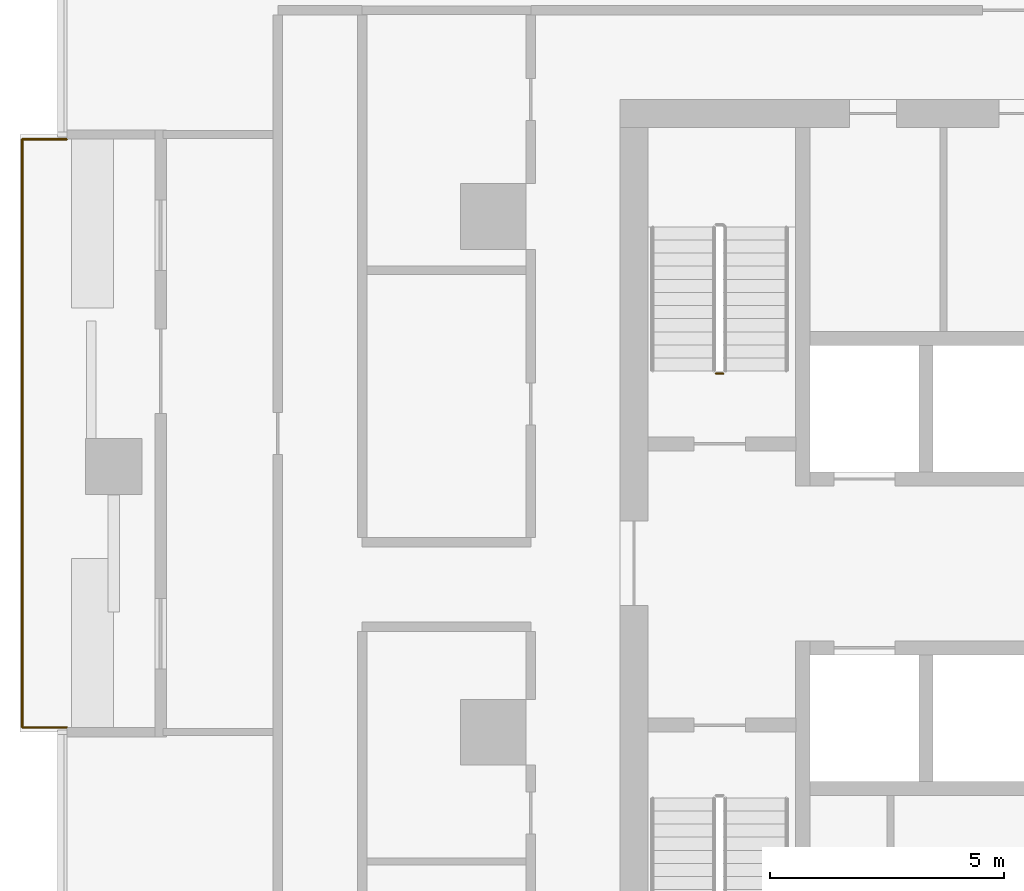
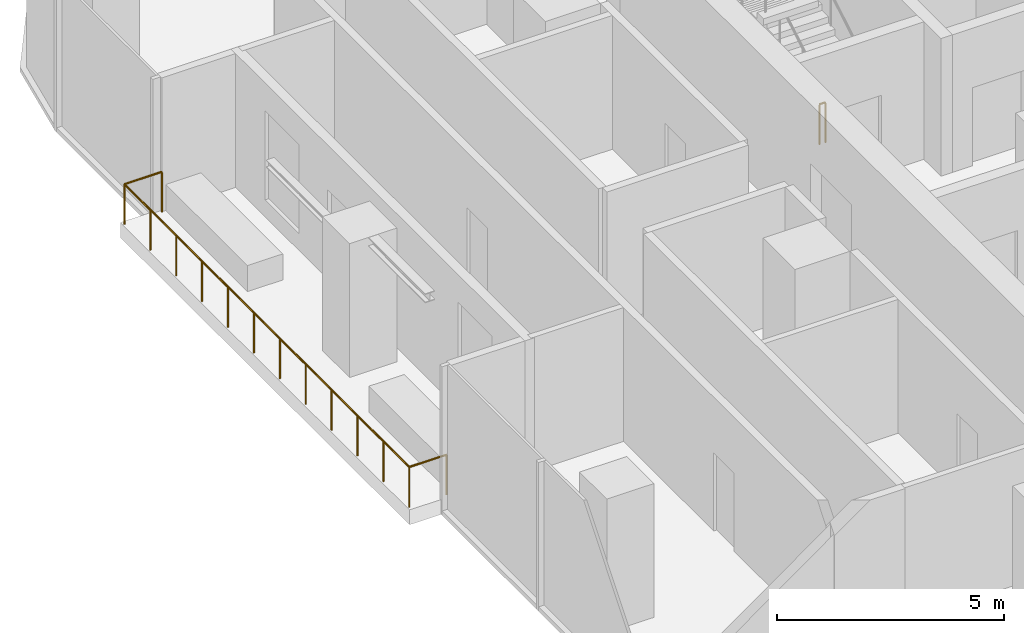
# One storey, part 12 of 14: 2 railings.
"""IFC4 building model written with IfcOpenShell, lengths in metres."""

import ifcopenshell
import ifcopenshell.guid

model = None  # the IFC model being written
_history = None  # IfcOwnerHistory: only IFC2X3 demands one
_inside = {}  # id of a spatial element -> (the spatial element, [elements in it])
_under = {}  # id of a project, library or spatial element -> (it, [spatial elements below it])
_declared = {}  # id of a project -> (the project, [libraries it declares])
_typed = {}  # id of a type object -> (the type object, [elements of that type])
_made_of = {}  # id of a material, layer set ... -> (it, [elements and type objects made of it])


def new_model(schema):
    """Start an empty IFC model of exactly this schema.

    Asked for "IFC4X3", IfcOpenShell would pick the latest addendum, in which some entities
    have other attributes; the version numbers below select the first issue.
    IFC2X3 requires an IfcOwnerHistory on every rooted entity: one is made here for all.
    """
    global model, _history
    if schema == "IFC4X3":
        model = ifcopenshell.file(schema_version=(4, 3, 0, 0))
    else:
        model = ifcopenshell.file(schema=schema)
    _inside.clear()
    _under.clear()
    _declared.clear()
    _typed.clear()
    _made_of.clear()
    _history = None
    if model.schema == "IFC2X3":
        org = make("IfcOrganization", Name="unknown")
        user = make(
            "IfcPersonAndOrganization",
            ThePerson=make("IfcPerson", FamilyName="unknown"),
            TheOrganization=org,
        )
        app = make(
            "IfcApplication",
            ApplicationDeveloper=org,
            Version="unknown",
            ApplicationFullName="unknown",
            ApplicationIdentifier="unknown",
        )
        _history = make(
            "IfcOwnerHistory",
            OwningUser=user,
            OwningApplication=app,
            ChangeAction="ADDED",
            CreationDate=0,
        )
    return model


def make(cls, **values):
    """One entity of the class cls with the attributes given. An attribute that is None is left unset."""
    return model.create_entity(
        cls, **{name: value for name, value in values.items() if value is not None}
    )


def rooted(cls, **values):
    """An entity with a GlobalId (a new one), such as an element, a storey or a relation."""
    return make(cls, GlobalId=ifcopenshell.guid.new(), OwnerHistory=_history, **values)


def si_unit(unit_type, name, prefix=None):
    """IfcSIUnit, for example si_unit("LENGTHUNIT", "METRE", prefix="MILLI")."""
    return make("IfcSIUnit", UnitType=unit_type, Prefix=prefix, Name=name)


def assignment(units):
    """IfcUnitAssignment: the units of a project."""
    return None if units is None else make("IfcUnitAssignment", Units=units)


def point(xyz):
    """IfcCartesianPoint."""
    return None if xyz is None else make("IfcCartesianPoint", Coordinates=xyz)


def direction(xyz):
    """IfcDirection."""
    return None if xyz is None else make("IfcDirection", DirectionRatios=xyz)


def frame(location, z_axis=None, x_axis=None):
    """IfcAxis2Placement3D, a coordinate frame: its origin and axes. An axis left out is left unset."""
    return make(
        "IfcAxis2Placement3D",
        Location=point(location),
        Axis=direction(z_axis),
        RefDirection=direction(x_axis),
    )


def frame_2d(location, x_axis=None):
    """IfcAxis2Placement2D, a coordinate frame in the plane: its origin and x axis."""
    return make(
        "IfcAxis2Placement2D", Location=point(location), RefDirection=direction(x_axis)
    )


def origin():
    """The frame at (0, 0, 0) with its axes left unset."""
    return frame((0.0, 0.0, 0.0))


def origin_2d():
    """The frame at (0, 0) in the plane with its x axis left unset."""
    return frame_2d((0.0, 0.0))


def place(relative_to, where):
    """IfcLocalPlacement: puts the frame where relative to a parent placement (None: the world)."""
    return make(
        "IfcLocalPlacement", PlacementRelTo=relative_to, RelativePlacement=where
    )


def context(
    kind, dimensions, precision=None, world=None, true_north=None, identifier=None
):
    """IfcGeometricRepresentationContext, for example the 3D "Model" context."""
    return make(
        "IfcGeometricRepresentationContext",
        ContextIdentifier=identifier,
        ContextType=kind,
        CoordinateSpaceDimension=dimensions,
        Precision=precision,
        WorldCoordinateSystem=world,
        TrueNorth=true_north,
    )


def subcontext(parent, identifier, kind, view, scale=None):
    """IfcGeometricRepresentationSubContext, for example "Body" below "Model"."""
    return make(
        "IfcGeometricRepresentationSubContext",
        ContextIdentifier=identifier,
        ContextType=kind,
        ParentContext=parent,
        TargetScale=scale,
        TargetView=view,
    )


def project(units=None, contexts=None):
    """IfcProject with its units and contexts."""
    return rooted(
        "IfcProject",
        Name="project",
        RepresentationContexts=contexts,
        UnitsInContext=assignment(units),
    )


def spatial(cls, under=None, at=None, **own):
    """A site, building, storey or space (cls), placed at a placement, below another one or the project."""
    s = rooted(cls, ObjectPlacement=at, **own)
    if under is not None:
        _under.setdefault(under.id(), (under, []))[1].append(s)
    return s


def profile(cls, at=None, kind="AREA", **sizes):
    """A parametric profile (cls). Its sizes go by their IFC names, for example OverallWidth=200.0."""
    return make(cls, ProfileType=kind, Position=at, **sizes)


def circle(**sizes):
    """IfcCircleProfileDef."""
    return profile("IfcCircleProfileDef", **sizes)


def extrude(swept, where, along, depth):
    """IfcExtrudedAreaSolid: the profile swept, set in the frame where, extruded along a direction by depth."""
    return make(
        "IfcExtrudedAreaSolid",
        SweptArea=swept,
        Position=where,
        ExtrudedDirection=direction(along),
        Depth=depth,
    )


def shape(context_of_items, identifier, shape_type, items):
    """IfcShapeRepresentation: the items that make up one representation, for example the "Body"."""
    return make(
        "IfcShapeRepresentation",
        ContextOfItems=context_of_items,
        RepresentationIdentifier=identifier,
        RepresentationType=shape_type,
        Items=items,
    )


def material(Name=None, Category=None):
    """IfcMaterial."""
    return make("IfcMaterial", Name=Name, Category=Category)


def made_of(thing, what):
    """Note that an element or type object is made of a material, layer set ...; save() writes the relation."""
    if what is not None:
        _made_of.setdefault(what.id(), (what, []))[1].append(thing)
    return thing


def type_object(cls, material=None, **own):
    """A type object (cls), such as IfcWallType, which elements share."""
    return made_of(rooted(cls, **own), material)


def element(
    cls,
    number,
    at=None,
    inside=None,
    cuts=None,
    type_object=None,
    material=None,
    context=None,
    identifier="Body",
    shape_type=None,
    held_by="IfcProductDefinitionShape",
    body=None,
    shapes=None,
    **own,
):
    """One element of the class cls, such as IfcWall. Its Tag is "e" and its number.

    at: its placement. inside: the storey or other place that contains it. cuts: it is an
    opening in that element (IfcRelVoidsElement). A single representation is given by context,
    identifier, shape_type and body (its items); several are given by shapes. held_by: the class
    of the entity that holds the representations. save() writes the other relations.
    """
    e = rooted(cls, Tag="e%d" % number, ObjectPlacement=at, **own)
    if body is not None:
        shapes = [shape(context, identifier, shape_type, body)]
    if shapes is not None:
        e.Representation = make(held_by, Representations=shapes)
    if inside is not None:
        _inside.setdefault(inside.id(), (inside, []))[1].append(e)
    if cuts is not None:
        rooted(
            "IfcRelVoidsElement", RelatingBuildingElement=cuts, RelatedOpeningElement=e
        )
    if type_object is not None:
        _typed.setdefault(type_object.id(), (type_object, []))[1].append(e)
    return made_of(e, material)


def aggregate(whole, parts):
    """IfcRelAggregates: a whole, such as a stair, and the parts it consists of."""
    return rooted("IfcRelAggregates", RelatingObject=whole, RelatedObjects=parts)


def save(model, path):
    """Write the relations noted so far, then the file.

    IfcRelAggregates (storeys below a building ...), IfcRelContainedInSpatialStructure (elements
    in a storey), IfcRelDefinesByType, IfcRelAssociatesMaterial and IfcRelDeclares: one each for
    every whole, place, type object, material and project.
    """
    for whole, parts in _under.values():
        aggregate(whole, parts)
    for where, things in _inside.values():
        rooted(
            "IfcRelContainedInSpatialStructure",
            RelatedElements=things,
            RelatingStructure=where,
        )
    for kind, things in _typed.values():
        rooted("IfcRelDefinesByType", RelatedObjects=things, RelatingType=kind)
    for what, things in _made_of.values():
        rooted("IfcRelAssociatesMaterial", RelatedObjects=things, RelatingMaterial=what)
    for by, libraries in _declared.values():
        rooted("IfcRelDeclares", RelatingContext=by, RelatedDefinitions=libraries)
    model.write(path)


model = new_model("IFC4")

# Units and contexts
model_context = context("Model", 3, precision=1e-05, world=origin(), true_north=direction((0.0, 1.0)))
body_context = subcontext(model_context, "Body", "Model", "MODEL_VIEW")
ifc_project = project(units=[si_unit("LENGTHUNIT", "METRE"), si_unit("AREAUNIT", "SQUARE_METRE"), si_unit("VOLUMEUNIT", "CUBIC_METRE"), si_unit("PLANEANGLEUNIT", "RADIAN"), si_unit("MASSUNIT", "GRAM", prefix="KILO")], contexts=[model_context])

# Site, building, storey
site_placement = place(None, origin())
site = spatial("IfcSite", under=ifc_project, at=site_placement, CompositionType="ELEMENT")
building_placement = place(site_placement, origin())
building = spatial("IfcBuilding", under=site, at=building_placement, Name="Mopane Tessera Tower", CompositionType="ELEMENT")
storey_placement = place(building_placement, frame((0.0, 0.0, 161.0)))
storey = spatial("IfcBuildingStorey", under=building, at=storey_placement, Name="L32", CompositionType="ELEMENT", Elevation=161.0)

# Railings
ifc_material_1 = material(Name="Powder-coated steel balustrade", Category="steel")
railing_type_1 = type_object("IfcRailingType", Name="Escape stair guard 1100 mm", PredefinedType="GUARDRAIL", material=ifc_material_1)
railing_1_placement = place(storey_placement, frame((-12.199951171875, 7.64990234375, 0.0)))
element("IfcRailing", 1, at=railing_1_placement, inside=storey, type_object=railing_type_1, Name="L32 ST2 stair guard 3", PredefinedType="GUARDRAIL", context=body_context, shape_type="SweptSolid", body=[
    extrude(circle(Radius=0.02392578125, at=origin_2d()), frame((0.0, 0.0, 1.076171875), z_axis=(-1.0, 0.0, 0.0), x_axis=(0.0, -1.0, 0.0)), (0.0, 0.0, 1.0), 0.150146484375),
    extrude(circle(Radius=0.02099609375, at=origin_2d()), origin(), (0.0, 0.0, 1.0), 1.052001953125),
    extrude(circle(Radius=0.02099609375, at=origin_2d()), frame((-0.150146484375, 0.0, 0.0)), (0.0, 0.0, 1.0), 1.052001953125),
])
ifc_material_2 = material(Name="Stainless steel S316", Category="steel")
railing_type_2 = type_object("IfcRailingType", Name="Terrace guard 1100", PredefinedType="GUARDRAIL", material=ifc_material_2)
railing_2_placement = place(storey_placement, frame((-26.199951171875, 12.64990234375, 0.0)))
element("IfcRailing", 2, at=railing_2_placement, inside=storey, type_object=railing_type_2, Name="e:nw:L32:N1:guard", PredefinedType="GUARDRAIL", context=body_context, shape_type="SweptSolid", body=[
    extrude(circle(Radius=0.02392578125, at=origin_2d()), frame((0.0, 0.0, 1.076171875), z_axis=(-1.0, 0.0, 0.0), x_axis=(0.0, -1.0, 0.0)), (0.0, 0.0, 1.0), 0.949951171875),
    extrude(circle(Radius=0.02392578125, at=origin_2d()), frame((-0.949951171875, 0.0, 1.076171875), z_axis=(0.0, -1.0, 0.0), x_axis=(1.0, 0.0, 0.0)), (0.0, 0.0, 1.0), 12.5498046875),
    extrude(circle(Radius=0.02392578125, at=origin_2d()), frame((-0.949951171875, -12.5498046875, 1.076171875), z_axis=(1.0, 0.0, 0.0), x_axis=(0.0, 1.0, 0.0)), (0.0, 0.0, 1.0), 0.949951171875),
    extrude(circle(Radius=0.02099609375, at=origin_2d()), origin(), (0.0, 0.0, 1.0), 1.052001953125),
    extrude(circle(Radius=0.02099609375, at=origin_2d()), frame((-0.949951171875, 0.0, 0.0)), (0.0, 0.0, 1.0), 1.052001953125),
    extrude(circle(Radius=0.02099609375, at=origin_2d()), frame((-0.949951171875, -1.140869140625, 0.0)), (0.0, 0.0, 1.0), 1.052001953125),
    extrude(circle(Radius=0.02099609375, at=origin_2d()), frame((-0.949951171875, -2.28173828125, 0.0)), (0.0, 0.0, 1.0), 1.052001953125),
    extrude(circle(Radius=0.02099609375, at=origin_2d()), frame((-0.949951171875, -3.422607421875, 0.0)), (0.0, 0.0, 1.0), 1.052001953125),
    extrude(circle(Radius=0.02099609375, at=origin_2d()), frame((-0.949951171875, -4.5634765625, 0.0)), (0.0, 0.0, 1.0), 1.052001953125),
    extrude(circle(Radius=0.02099609375, at=origin_2d()), frame((-0.949951171875, -5.704345703125, 0.0)), (0.0, 0.0, 1.0), 1.052001953125),
    extrude(circle(Radius=0.02099609375, at=origin_2d()), frame((-0.949951171875, -6.845458984375, 0.0)), (0.0, 0.0, 1.0), 1.052001953125),
    extrude(circle(Radius=0.02099609375, at=origin_2d()), frame((-0.949951171875, -7.986328125, 0.0)), (0.0, 0.0, 1.0), 1.052001953125),
    extrude(circle(Radius=0.02099609375, at=origin_2d()), frame((-0.949951171875, -9.127197265625, 0.0)), (0.0, 0.0, 1.0), 1.052001953125),
    extrude(circle(Radius=0.02099609375, at=origin_2d()), frame((-0.949951171875, -10.26806640625, 0.0)), (0.0, 0.0, 1.0), 1.052001953125),
    extrude(circle(Radius=0.02099609375, at=origin_2d()), frame((-0.949951171875, -11.408935546875, 0.0)), (0.0, 0.0, 1.0), 1.052001953125),
    extrude(circle(Radius=0.02099609375, at=origin_2d()), frame((-0.949951171875, -12.5498046875, 0.0)), (0.0, 0.0, 1.0), 1.052001953125),
    extrude(circle(Radius=0.02099609375, at=origin_2d()), frame((0.0, -12.5498046875, 0.0)), (0.0, 0.0, 1.0), 1.052001953125),
])

save(model, "model.ifc")
